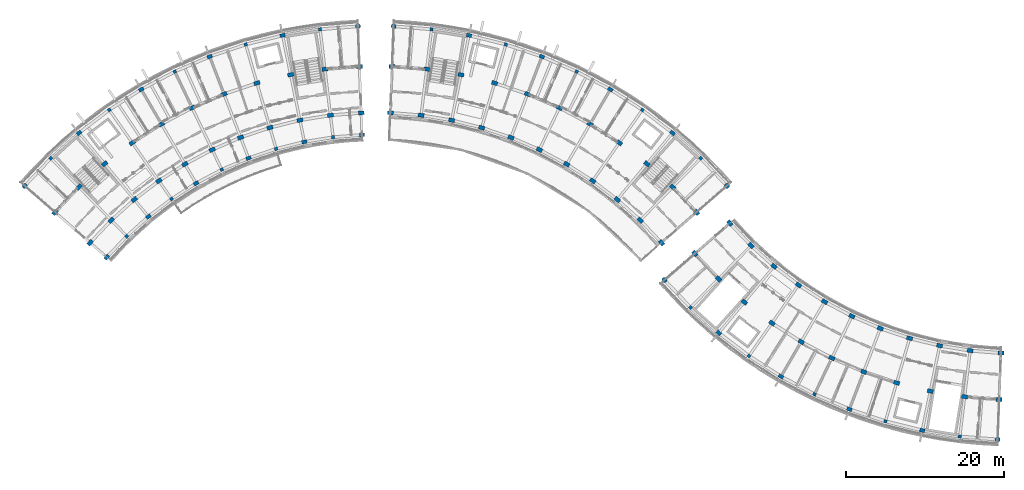
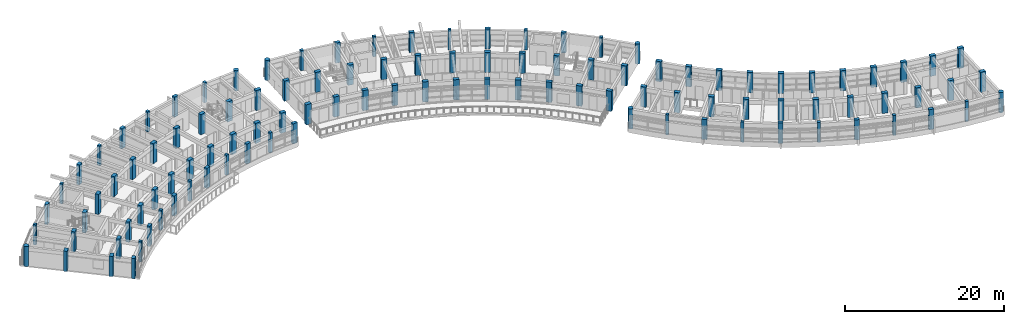
# One storey, part 1 of 38: 110 columns.
"""IFC4 building model written with IfcOpenShell, lengths in metres."""

from ifc_helpers import new_model, si_unit, direction, frame, origin, origin_2d, place, context, subcontext, project, spatial, rectangle, circle, extrude, material, material_profile, profile_set, type_object, element, save


model = new_model("IFC4")

# Units and contexts
model_context = context("Model", 3, precision=1e-05, world=origin(), true_north=direction((0.0, 1.0)))
body_context = subcontext(model_context, "Body", "Model", "MODEL_VIEW")
ifc_project = project(units=[si_unit("LENGTHUNIT", "METRE"), si_unit("AREAUNIT", "SQUARE_METRE"), si_unit("VOLUMEUNIT", "CUBIC_METRE"), si_unit("PLANEANGLEUNIT", "RADIAN"), si_unit("MASSUNIT", "GRAM", prefix="KILO")], contexts=[model_context])

# Site, building, storey
site_placement = place(None, origin())
site = spatial("IfcSite", under=ifc_project, at=site_placement, CompositionType="ELEMENT")
building_placement = place(site_placement, origin())
building = spatial("IfcBuilding", under=site, at=building_placement, Name="Zimvara Arc Housing Community", CompositionType="ELEMENT")
storey_placement = place(building_placement, frame((0.0, 0.0, 29.800048828125)))
storey = spatial("IfcBuildingStorey", under=building, at=storey_placement, Name="L09", CompositionType="ELEMENT", Elevation=29.800048828125)

# Columns
ifc_material_1 = material(Name="Concrete C40/50", Category="concrete")
ifc_material_profile_1 = material_profile(ifc_material_1, rectangle(XDim=0.39990234375, YDim=0.39990234375, at=origin_2d()), Name="RC 400x400")
ifc_profile_set_1 = profile_set([ifc_material_profile_1], Name="Concrete C40/50")
column_type_1 = type_object("IfcColumnType", Name="COL-RC-400x400", PredefinedType="COLUMN", material=ifc_profile_set_1)
for number, where, z_axis, x_axis, name in (
    (1, (13.476318359375, 76.781005859375, 0.0), (0.0, 0.0, 1.0), (-0.698665066769, 0.715448897181, 0.0), "col:blkA:L09:b1:r0"),
    (2, (3.862548828125, 86.625732421875, 0.0), (0.0, 0.0, 1.0), (-0.698665066769, 0.715448897181, 0.0), "col:blkA:L09:b1:r3"),
    (3, (19.14599609375, 81.478271484375, 0.0), (0.0, 0.0, 1.0), (-0.573004420611, 0.819552276527, 0.0), "col:blkA:L09:b3:r0"),
    (4, (11.261474609375, 92.755126953125, 0.0), (0.0, 0.0, 1.0), (-0.573004420611, 0.819552276527, 0.0), "col:blkA:L09:b3:r3"),
    (5, (25.50439453125, 85.190673828125, 0.0), (0.0, 0.0, 1.0), (-0.432085748802, 0.901832526405, 0.0), "col:blkA:L09:b5:r0"),
    (6, (19.558837890625, 97.599853515625, 0.0), (0.0, 0.0, 1.0), (-0.432085748802, 0.901832526405, 0.0), "col:blkA:L09:b5:r3"),
    (7, (32.381591796875, 87.819580078125, 0.0), (0.0, 0.0, 1.0), (-0.27966144946, 0.96009867914, 0.0), "col:blkA:L09:b7:r0"),
    (8, (28.533447265625, 101.030517578125, 0.0), (0.0, 0.0, 1.0), (-0.27966144946, 0.96009867914, 0.0), "col:blkA:L09:b7:r3"),
    (9, (39.594970703125, 89.295166015625, 0.0), (0.0, 0.0, 1.0), (-0.119790293837, 0.992799217114, 0.0), "col:blkA:L09:b9:r0"),
    (10, (37.94677734375, 102.9560546875, 0.0), (0.0, 0.0, 1.0), (-0.119790293837, 0.992799217114, 0.0), "col:blkA:L09:b9:r3"),
    (11, (52.05322265625, 102.9560546875, 0.0), (0.0, 0.0, 1.0), (0.119790293837, 0.992799217114, 0.0), "col:blkB:L09:b1:r3"),
    (12, (61.466552734375, 101.030517578125, 0.0), (0.0, 0.0, 1.0), (0.27966144946, 0.96009867914, 0.0), "col:blkB:L09:b3:r3"),
    (13, (70.441162109375, 97.599853515625, 0.0), (0.0, 0.0, 1.0), (0.432085748802, 0.901832526405, 0.0), "col:blkB:L09:b5:r3"),
    (14, (78.738525390625, 92.755126953125, 0.0), (0.0, 0.0, 1.0), (0.573004420611, 0.819552276527, 0.0), "col:blkB:L09:b7:r3"),
    (15, (86.137451171875, 86.625732421875, 0.0), (0.0, 0.0, 1.0), (0.698665066769, 0.715448897181, 0.0), "col:blkB:L09:b9:r3"),
    (16, (84.842529296875, 67.734375, 0.0), (0.0, 0.0, 1.0), (-0.698665066769, -0.715448897181, 0.0), "col:blkC:L09:b1:r3"),
    (17, (92.241455078125, 61.604736328125, 0.0), (0.0, 0.0, 1.0), (-0.573004420611, -0.819552276527, 0.0), "col:blkC:L09:b3:r3"),
    (18, (100.538818359375, 56.760009765625, 0.0), (0.0, 0.0, 1.0), (-0.432085748802, -0.901832526405, 0.0), "col:blkC:L09:b5:r3"),
    (19, (109.513427734375, 53.329345703125, 0.0), (0.0, 0.0, 1.0), (-0.27966144946, -0.96009867914, 0.0), "col:blkC:L09:b7:r3"),
    (20, (118.9267578125, 51.404052734375, 0.0), (0.0, 0.0, 1.0), (-0.119790293837, -0.992799217114, 0.0), "col:blkC:L09:b9:r3"),
):
    element("IfcColumn", number, at=place(storey_placement, frame(where, z_axis=z_axis, x_axis=x_axis)), inside=storey, type_object=column_type_1, Name=name, PredefinedType="COLUMN", context=body_context, shape_type="SweptSolid", body=[
        extrude(rectangle(XDim=0.39990234375, YDim=0.39990234375, at=origin_2d()), origin(), (0.0, 0.0, 1.0), 3.099853515625),
    ])
ifc_material_2 = material(Name="Concrete C40/50", Category="concrete")
ifc_material_profile_2 = material_profile(ifc_material_2, rectangle(XDim=0.449951171875, YDim=0.64990234375, at=origin_2d()), Name="RC 450x650")
ifc_profile_set_2 = profile_set([ifc_material_profile_2], Name="Concrete C40/50")
column_type_2 = type_object("IfcColumnType", Name="COL-RC-450x650", PredefinedType="COLUMN", material=ifc_profile_set_2)
for number, where, z_axis, x_axis, name in (
    (21, (10.947509765625, 74.101318359375, 0.0), (0.0, 0.0, 1.0), (-0.754709580223, 0.656059028991, 0.0), "col:blkA:L09:b0:r0"),
    (22, (16.215087890625, 79.245361328125, 0.0), (0.0, 0.0, 1.0), (-0.637961754089, 0.770068049148, 0.0), "col:blkA:L09:b2:r0"),
    (23, (7.436767578125, 89.841552734375, 0.0), (0.0, 0.0, 1.0), (-0.637961754089, 0.770068049148, 0.0), "col:blkA:L09:b2:r3"),
    (24, (22.249267578125, 83.46435546875, 0.0), (0.0, 0.0, 1.0), (-0.504226211181, 0.863571611366, 0.0), "col:blkA:L09:b4:r0"),
    (25, (15.311279296875, 95.34716796875, 0.0), (0.0, 0.0, 1.0), (-0.504226211181, 0.863571611366, 0.0), "col:blkA:L09:b4:r3"),
    (26, (28.88916015625, 86.645751953125, 0.0), (0.0, 0.0, 1.0), (-0.357064076459, 0.934079892355, 0.0), "col:blkA:L09:b6:r0"),
    (27, (23.97607421875, 99.49853515625, 0.0), (0.0, 0.0, 1.0), (-0.357064076459, 0.934079892355, 0.0), "col:blkA:L09:b6:r3"),
    (28, (35.958251953125, 88.704833984375, 0.0), (0.0, 0.0, 1.0), (-0.200393999665, 0.979715389742, 0.0), "col:blkA:L09:b8:r0"),
    (29, (33.20068359375, 102.185546875, 0.0), (0.0, 0.0, 1.0), (-0.200393999665, 0.979715389742, 0.0), "col:blkA:L09:b8:r3"),
    (30, (43.267822265625, 89.586669921875, 0.0), (0.0, 0.0, 1.0), (-0.038387809088, 0.999262916411, 0.0), "col:blkA:L09:b10:r0"),
    (31, (56.79931640625, 102.185546875, 0.0), (0.0, 0.0, 1.0), (0.200393999665, 0.979715389742, 0.0), "col:blkB:L09:b2:r3"),
    (32, (66.02392578125, 99.49853515625, 0.0), (0.0, 0.0, 1.0), (0.357064076459, 0.934079892355, 0.0), "col:blkB:L09:b4:r3"),
    (33, (74.688720703125, 95.34716796875, 0.0), (0.0, 0.0, 1.0), (0.504226211181, 0.863571611366, 0.0), "col:blkB:L09:b6:r3"),
    (34, (82.563232421875, 89.841552734375, 0.0), (0.0, 0.0, 1.0), (0.637961754089, 0.770068049148, 0.0), "col:blkB:L09:b8:r3"),
    (35, (88.416748046875, 64.518310546875, 0.0), (0.0, 0.0, 1.0), (-0.637961754089, -0.770068049148, 0.0), "col:blkC:L09:b2:r3"),
    (36, (96.291259765625, 59.012939453125, 0.0), (0.0, 0.0, 1.0), (-0.504226211181, -0.863571611366, 0.0), "col:blkC:L09:b4:r3"),
    (37, (104.9560546875, 54.861328125, 0.0), (0.0, 0.0, 1.0), (-0.357064076459, -0.934079892355, 0.0), "col:blkC:L09:b6:r3"),
    (38, (114.180908203125, 52.17431640625, 0.0), (0.0, 0.0, 1.0), (-0.200393999665, -0.979715389742, 0.0), "col:blkC:L09:b8:r3"),
):
    element("IfcColumn", number, at=place(storey_placement, frame(where, z_axis=z_axis, x_axis=x_axis)), inside=storey, type_object=column_type_2, Name=name, PredefinedType="COLUMN", context=body_context, shape_type="SweptSolid", body=[
        extrude(rectangle(XDim=0.449951171875, YDim=0.64990234375, at=origin_2d()), origin(), (0.0, 0.0, 1.0), 3.099853515625),
    ])
ifc_material_3 = material(Name="Concrete C40/50", Category="concrete")
ifc_material_profile_3 = material_profile(ifc_material_3, rectangle(XDim=0.5, YDim=0.75, at=origin_2d()), Name="RC 500x750")
ifc_profile_set_3 = profile_set([ifc_material_profile_3], Name="Concrete C40/50")
column_type_3 = type_object("IfcColumnType", Name="COL-RC-500x750", PredefinedType="COLUMN", material=ifc_profile_set_3)
for number, where, z_axis, x_axis, name in (
    (39, (8.834228515625, 75.938232421875, 0.0), (0.0, 0.0, 1.0), (-0.754709580223, 0.656059028991, 0.0), "col:blkA:L09:b0:r1"),
    (40, (4.396728515625, 79.7958984375, 0.0), (0.0, 0.0, 1.0), (-0.754709580223, 0.656059028991, 0.0), "col:blkA:L09:b0:r2"),
    (41, (11.52001953125, 78.784423828125, 0.0), (0.0, 0.0, 1.0), (-0.698665066769, 0.715448897181, 0.0), "col:blkA:L09:b1:r1"),
    (42, (7.411865234375, 82.9912109375, 0.0), (0.0, 0.0, 1.0), (-0.698665066769, 0.715448897181, 0.0), "col:blkA:L09:b1:r2"),
    (43, (14.428955078125, 81.401611328125, 0.0), (0.0, 0.0, 1.0), (-0.637961754089, 0.770068049148, 0.0), "col:blkA:L09:b2:r1"),
    (44, (10.677734375, 85.9296875, 0.0), (0.0, 0.0, 1.0), (-0.637961754089, 0.770068049148, 0.0), "col:blkA:L09:b2:r2"),
    (45, (17.541748046875, 83.77294921875, 0.0), (0.0, 0.0, 1.0), (-0.573004420611, 0.819552276527, 0.0), "col:blkA:L09:b3:r1"),
    (46, (14.17236328125, 88.591796875, 0.0), (0.0, 0.0, 1.0), (-0.573004420611, 0.819552276527, 0.0), "col:blkA:L09:b3:r2"),
    (47, (20.83740234375, 85.88232421875, 0.0), (0.0, 0.0, 1.0), (-0.504226211181, 0.863571611366, 0.0), "col:blkA:L09:b4:r1"),
    (48, (17.87255859375, 90.960205078125, 0.0), (0.0, 0.0, 1.0), (-0.504226211181, 0.863571611366, 0.0), "col:blkA:L09:b4:r2"),
    (49, (24.29443359375, 87.7158203125, 0.0), (0.0, 0.0, 1.0), (-0.432085748802, 0.901832526405, 0.0), "col:blkA:L09:b5:r1"),
    (50, (21.75390625, 93.0185546875, 0.0), (0.0, 0.0, 1.0), (-0.432085748802, 0.901832526405, 0.0), "col:blkA:L09:b5:r2"),
    (51, (27.889404296875, 89.260986328125, 0.0), (0.0, 0.0, 1.0), (-0.357064076459, 0.934079892355, 0.0), "col:blkA:L09:b6:r1"),
    (52, (25.7900390625, 94.75341796875, 0.0), (0.0, 0.0, 1.0), (-0.357064076459, 0.934079892355, 0.0), "col:blkA:L09:b6:r2"),
    (53, (31.5986328125, 90.5078125, 0.0), (0.0, 0.0, 1.0), (-0.27966144946, 0.96009867914, 0.0), "col:blkA:L09:b7:r1"),
    (54, (29.9541015625, 96.1533203125, 0.0), (0.0, 0.0, 1.0), (-0.27966144946, 0.96009867914, 0.0), "col:blkA:L09:b7:r2"),
    (55, (35.397216796875, 91.447998046875, 0.0), (0.0, 0.0, 1.0), (-0.200393999665, 0.979715389742, 0.0), "col:blkA:L09:b8:r1"),
    (56, (34.21875, 97.208740234375, 0.0), (0.0, 0.0, 1.0), (-0.200393999665, 0.979715389742, 0.0), "col:blkA:L09:b8:r2"),
    (57, (39.259765625, 92.074951171875, 0.0), (0.0, 0.0, 1.0), (-0.119790293837, 0.992799217114, 0.0), "col:blkA:L09:b9:r1"),
    (58, (38.55517578125, 97.91259765625, 0.0), (0.0, 0.0, 1.0), (-0.119790293837, 0.992799217114, 0.0), "col:blkA:L09:b9:r2"),
    (59, (43.160400390625, 92.384765625, 0.0), (0.0, 0.0, 1.0), (-0.038387809088, 0.999262916411, 0.0), "col:blkA:L09:b10:r1"),
    (60, (42.934814453125, 98.26025390625, 0.0), (0.0, 0.0, 1.0), (-0.038387809088, 0.999262916411, 0.0), "col:blkA:L09:b10:r2"),
    (61, (46.839599609375, 92.384765625, 0.0), (0.0, 0.0, 1.0), (0.038387809088, 0.999262916411, 0.0), "col:blkB:L09:b0:r1"),
    (62, (47.065185546875, 98.26025390625, 0.0), (0.0, 0.0, 1.0), (0.038387809088, 0.999262916411, 0.0), "col:blkB:L09:b0:r2"),
    (63, (50.740234375, 92.074951171875, 0.0), (0.0, 0.0, 1.0), (0.119790293837, 0.992799217114, 0.0), "col:blkB:L09:b1:r1"),
    (64, (51.44482421875, 97.91259765625, 0.0), (0.0, 0.0, 1.0), (0.119790293837, 0.992799217114, 0.0), "col:blkB:L09:b1:r2"),
    (65, (54.602783203125, 91.447998046875, 0.0), (0.0, 0.0, 1.0), (0.200393999665, 0.979715389742, 0.0), "col:blkB:L09:b2:r1"),
    (66, (55.78125, 97.208740234375, 0.0), (0.0, 0.0, 1.0), (0.200393999665, 0.979715389742, 0.0), "col:blkB:L09:b2:r2"),
    (67, (58.4013671875, 90.5078125, 0.0), (0.0, 0.0, 1.0), (0.27966144946, 0.96009867914, 0.0), "col:blkB:L09:b3:r1"),
    (68, (60.0458984375, 96.1533203125, 0.0), (0.0, 0.0, 1.0), (0.27966144946, 0.96009867914, 0.0), "col:blkB:L09:b3:r2"),
    (69, (62.110595703125, 89.260986328125, 0.0), (0.0, 0.0, 1.0), (0.357064076459, 0.934079892355, 0.0), "col:blkB:L09:b4:r1"),
    (70, (64.2099609375, 94.75341796875, 0.0), (0.0, 0.0, 1.0), (0.357064076459, 0.934079892355, 0.0), "col:blkB:L09:b4:r2"),
    (71, (65.70556640625, 87.7158203125, 0.0), (0.0, 0.0, 1.0), (0.432085748802, 0.901832526405, 0.0), "col:blkB:L09:b5:r1"),
    (72, (68.24609375, 93.0185546875, 0.0), (0.0, 0.0, 1.0), (0.432085748802, 0.901832526405, 0.0), "col:blkB:L09:b5:r2"),
    (73, (69.16259765625, 85.88232421875, 0.0), (0.0, 0.0, 1.0), (0.504226211181, 0.863571611366, 0.0), "col:blkB:L09:b6:r1"),
    (74, (72.12744140625, 90.960205078125, 0.0), (0.0, 0.0, 1.0), (0.504226211181, 0.863571611366, 0.0), "col:blkB:L09:b6:r2"),
    (75, (72.458251953125, 83.77294921875, 0.0), (0.0, 0.0, 1.0), (0.573004420611, 0.819552276527, 0.0), "col:blkB:L09:b7:r1"),
    (76, (75.82763671875, 88.591796875, 0.0), (0.0, 0.0, 1.0), (0.573004420611, 0.819552276527, 0.0), "col:blkB:L09:b7:r2"),
    (77, (75.571044921875, 81.401611328125, 0.0), (0.0, 0.0, 1.0), (0.637961754089, 0.770068049148, 0.0), "col:blkB:L09:b8:r1"),
    (78, (79.322265625, 85.9296875, 0.0), (0.0, 0.0, 1.0), (0.637961754089, 0.770068049148, 0.0), "col:blkB:L09:b8:r2"),
    (79, (78.47998046875, 78.784423828125, 0.0), (0.0, 0.0, 1.0), (0.698665066769, 0.715448897181, 0.0), "col:blkB:L09:b9:r1"),
    (80, (82.588134765625, 82.9912109375, 0.0), (0.0, 0.0, 1.0), (0.698665066769, 0.715448897181, 0.0), "col:blkB:L09:b9:r2"),
    (81, (81.165771484375, 75.938232421875, 0.0), (0.0, 0.0, 1.0), (0.754709580223, 0.656059028991, 0.0), "col:blkB:L09:b10:r1"),
    (82, (85.603271484375, 79.7958984375, 0.0), (0.0, 0.0, 1.0), (0.754709580223, 0.656059028991, 0.0), "col:blkB:L09:b10:r2"),
    (83, (89.814208984375, 78.421630859375, 0.0), (0.0, 0.0, 1.0), (-0.754709580223, -0.656059028991, 0.0), "col:blkC:L09:b0:r1"),
    (84, (85.376708984375, 74.56396484375, 0.0), (0.0, 0.0, 1.0), (-0.754709580223, -0.656059028991, 0.0), "col:blkC:L09:b0:r2"),
    (85, (92.5, 75.57568359375, 0.0), (0.0, 0.0, 1.0), (-0.698665066769, -0.715448897181, 0.0), "col:blkC:L09:b1:r1"),
    (86, (88.391845703125, 71.368896484375, 0.0), (0.0, 0.0, 1.0), (-0.698665066769, -0.715448897181, 0.0), "col:blkC:L09:b1:r2"),
    (87, (95.408935546875, 72.958251953125, 0.0), (0.0, 0.0, 1.0), (-0.637961754089, -0.770068049148, 0.0), "col:blkC:L09:b2:r1"),
    (88, (91.65771484375, 68.430419921875, 0.0), (0.0, 0.0, 1.0), (-0.637961754089, -0.770068049148, 0.0), "col:blkC:L09:b2:r2"),
    (89, (98.521728515625, 70.587158203125, 0.0), (0.0, 0.0, 1.0), (-0.573004420611, -0.819552276527, 0.0), "col:blkC:L09:b3:r1"),
    (90, (95.15234375, 65.76806640625, 0.0), (0.0, 0.0, 1.0), (-0.573004420611, -0.819552276527, 0.0), "col:blkC:L09:b3:r2"),
    (91, (101.8173828125, 68.4775390625, 0.0), (0.0, 0.0, 1.0), (-0.504226211181, -0.863571611366, 0.0), "col:blkC:L09:b4:r1"),
    (92, (98.8525390625, 63.39990234375, 0.0), (0.0, 0.0, 1.0), (-0.504226211181, -0.863571611366, 0.0), "col:blkC:L09:b4:r2"),
    (93, (105.2744140625, 66.644287109375, 0.0), (0.0, 0.0, 1.0), (-0.432085748802, -0.901832526405, 0.0), "col:blkC:L09:b5:r1"),
    (94, (102.73388671875, 61.34130859375, 0.0), (0.0, 0.0, 1.0), (-0.432085748802, -0.901832526405, 0.0), "col:blkC:L09:b5:r2"),
    (95, (108.869384765625, 65.098876953125, 0.0), (0.0, 0.0, 1.0), (-0.357064076459, -0.934079892355, 0.0), "col:blkC:L09:b6:r1"),
    (96, (106.77001953125, 59.6064453125, 0.0), (0.0, 0.0, 1.0), (-0.357064076459, -0.934079892355, 0.0), "col:blkC:L09:b6:r2"),
    (97, (112.57861328125, 63.85205078125, 0.0), (0.0, 0.0, 1.0), (-0.27966144946, -0.96009867914, 0.0), "col:blkC:L09:b7:r1"),
    (98, (110.934326171875, 58.206787109375, 0.0), (0.0, 0.0, 1.0), (-0.27966144946, -0.96009867914, 0.0), "col:blkC:L09:b7:r2"),
    (99, (116.377197265625, 62.912109375, 0.0), (0.0, 0.0, 1.0), (-0.200393999665, -0.979715389742, 0.0), "col:blkC:L09:b8:r1"),
    (100, (115.19873046875, 57.1513671875, 0.0), (0.0, 0.0, 1.0), (-0.200393999665, -0.979715389742, 0.0), "col:blkC:L09:b8:r2"),
    (101, (120.23974609375, 62.28515625, 0.0), (0.0, 0.0, 1.0), (-0.119790293837, -0.992799217114, 0.0), "col:blkC:L09:b9:r1"),
    (102, (119.535400390625, 56.447509765625, 0.0), (0.0, 0.0, 1.0), (-0.119790293837, -0.992799217114, 0.0), "col:blkC:L09:b9:r2"),
    (103, (124.140380859375, 61.975341796875, 0.0), (0.0, 0.0, 1.0), (-0.038387809088, -0.999262916411, 0.0), "col:blkC:L09:b10:r1"),
    (104, (123.914794921875, 56.099609375, 0.0), (0.0, 0.0, 1.0), (-0.038387809088, -0.999262916411, 0.0), "col:blkC:L09:b10:r2"),
):
    element("IfcColumn", number, at=place(storey_placement, frame(where, z_axis=z_axis, x_axis=x_axis)), inside=storey, type_object=column_type_3, Name=name, PredefinedType="COLUMN", context=body_context, shape_type="SweptSolid", body=[
        extrude(rectangle(XDim=0.5, YDim=0.75, at=origin_2d()), origin(), (0.0, 0.0, 1.0), 3.099853515625),
    ])
ifc_material_4 = material(Name="Concrete C40/50", Category="concrete")
ifc_material_profile_4 = material_profile(ifc_material_4, circle(Radius=0.324951171875, at=origin_2d()), Name="RC D650")
ifc_profile_set_4 = profile_set([ifc_material_profile_4], Name="Concrete C40/50")
column_type_4 = type_object("IfcColumnType", Name="COL-RC-D600", PredefinedType="COLUMN", material=ifc_profile_set_4)
for number, where, z_axis, x_axis, name in (
    (105, (0.562744140625, 83.128662109375, 0.0), (0.0, 0.0, 1.0), (-0.754709580223, 0.656059028991, 0.0), "col:blkA:L09:b0:r3"),
    (106, (42.73974609375, 103.336669921875, 0.0), (0.0, 0.0, 1.0), (-0.038387809088, 0.999262916411, 0.0), "col:blkA:L09:b10:r3"),
    (107, (47.26025390625, 103.336669921875, 0.0), (0.0, 0.0, 1.0), (0.038387809088, 0.999262916411, 0.0), "col:blkB:L09:b0:r3"),
    (108, (89.437255859375, 83.128662109375, 0.0), (0.0, 0.0, 1.0), (0.754709580223, 0.656059028991, 0.0), "col:blkB:L09:b10:r3"),
    (109, (81.542724609375, 71.231201171875, 0.0), (0.0, 0.0, 1.0), (-0.754709580223, -0.656059028991, 0.0), "col:blkC:L09:b0:r3"),
    (110, (123.7197265625, 51.0234375, 0.0), (0.0, 0.0, 1.0), (-0.038387809088, -0.999262916411, 0.0), "col:blkC:L09:b10:r3"),
):
    element("IfcColumn", number, at=place(storey_placement, frame(where, z_axis=z_axis, x_axis=x_axis)), inside=storey, type_object=column_type_4, Name=name, PredefinedType="COLUMN", context=body_context, shape_type="SweptSolid", body=[
        extrude(circle(Radius=0.324951171875, at=origin_2d()), origin(), (0.0, 0.0, 1.0), 3.099853515625),
    ])

save(model, "model.ifc")
